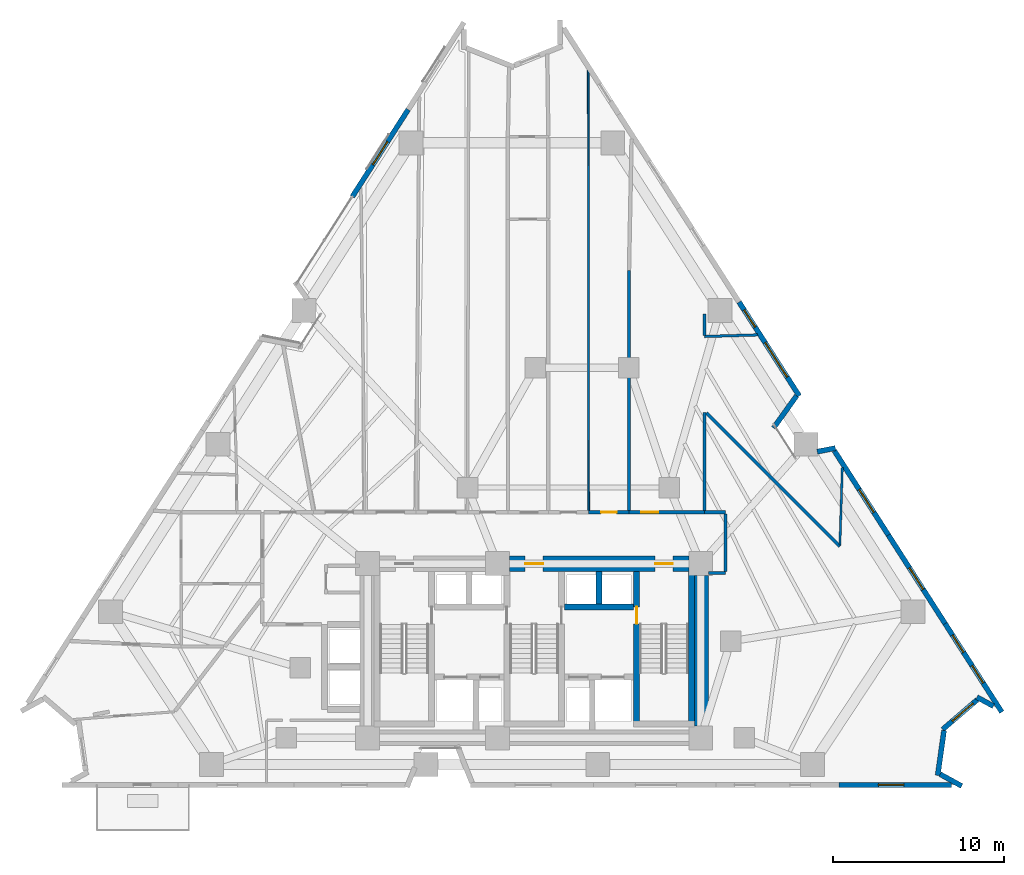
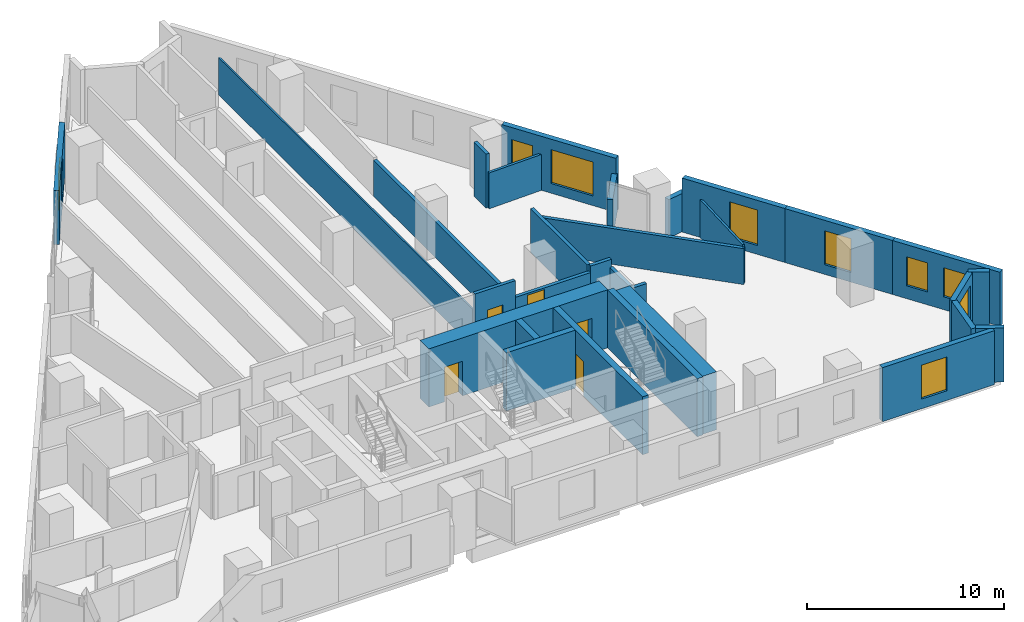
# One storey, part 10 of 15: 30 walls, 9 windows, 5 doors, 14 openings.
"""IFC4 building model written with IfcOpenShell, lengths in metres."""

from ifc_helpers import new_model, si_unit, direction, frame, frame_2d, origin, place, context, subcontext, project, spatial, rectangle, extrude, material, layer, layer_set, type_object, element, fill, save


model = new_model("IFC4")

# Units and contexts
model_context = context("Model", 3, precision=1e-05, world=origin(), true_north=direction((0.0, 1.0)))
body_context = subcontext(model_context, "Body", "Model", "MODEL_VIEW")
ifc_project = project(units=[si_unit("LENGTHUNIT", "METRE"), si_unit("AREAUNIT", "SQUARE_METRE"), si_unit("VOLUMEUNIT", "CUBIC_METRE"), si_unit("PLANEANGLEUNIT", "RADIAN"), si_unit("MASSUNIT", "GRAM", prefix="KILO")], contexts=[model_context])

# Site, building, storey
site_placement = place(None, origin())
site = spatial("IfcSite", under=ifc_project, at=site_placement, CompositionType="ELEMENT")
building_placement = place(site_placement, origin())
building = spatial("IfcBuilding", under=site, at=building_placement, Name="Almagre Mirador Tower", CompositionType="ELEMENT")
storey_placement = place(building_placement, frame((0.0, 0.0, 31.800048828125)))
storey = spatial("IfcBuildingStorey", under=building, at=storey_placement, Name="L06", CompositionType="ELEMENT", Elevation=31.800048828125)

# Wall, opening, window
ifc_material_1 = material(Name="Precast concrete C50/60", Category="concrete")
ifc_layer_1 = layer(ifc_material_1, 0.300048828125)
ifc_layer_set_1 = layer_set([ifc_layer_1], Name="Precast concrete C50/60")
wall_type_1 = type_object("IfcWallType", Name="WAL-EXT-300", PredefinedType="SOLIDWALL", material=ifc_layer_set_1)
wall_1_placement = place(storey_placement, frame((26.65673828125, 36.219970703125, 0.0), z_axis=(0.0, 0.0, 1.0), x_axis=(0.539506453767, 0.841981464371, 0.0)))
wall_1 = element("IfcWall", 1, at=wall_1_placement, inside=storey, type_object=wall_type_1, Name="L06 expressed almagre precast frame wall 03", PredefinedType="SOLIDWALL", context=body_context, shape_type="SweptSolid", body=[
    extrude(rectangle(XDim=6.058349609375, YDim=0.300048828125, at=frame_2d((3.029296875, 0.0))), origin(), (0.0, 0.0, 1.0), 3.349853515625),
])
opening_1_placement = place(wall_1_placement, frame((2.22509765625, 0.0, 0.550048828125)))
opening_1 = element("IfcOpeningElement", 2, at=opening_1_placement, cuts=wall_1, Name="Opening WN-06", PredefinedType="OPENING", context=body_context, shape_type="SweptSolid", body=[
    extrude(rectangle(XDim=1.60009765625, YDim=2.199951171875, at=frame_2d((0.800048828125, 1.10009765625))), frame((0.0, 0.159902, 0.0), z_axis=(0.0, -1.0, 0.0), x_axis=(1.0, 0.0, 0.0)), (0.0, 0.0, 1.0), 0.320049),
])
ifc_material_2 = material(Name="Dark solar-control laminated hurricane glass", Category="glass")
window_type_1 = type_object("IfcWindowType", Name="WIN-1600X2200", PartitioningType="DOUBLE_PANEL_VERTICAL", PredefinedType="WINDOW", material=ifc_material_2)
window_1_placement = place(opening_1_placement, origin())
window_1 = element("IfcWindow", 3, at=window_1_placement, inside=storey, type_object=window_type_1, Name="L06 recessed hurricane window L06-RST-K", OverallHeight=2.199951171875, OverallWidth=1.60009765625, PartitioningType="SINGLE_PANEL", PredefinedType="WINDOW", context=body_context, shape_type="SweptSolid", body=[
    extrude(rectangle(XDim=1.60009765625, YDim=2.199951171875, at=frame_2d((0.800048828125, 1.10009765625))), frame((0.0, 0.030029296875, 0.0), z_axis=(0.0, -1.0, 0.0), x_axis=(1.0, 0.0, 0.0)), (0.0, 0.0, 1.0), 0.06005859375),
])
fill(opening_1, window_1)

# Wall, openings, windows
wall_2_placement = place(storey_placement, frame((49.292724609375, 30.056640625, 0.0), z_axis=(0.0, 0.0, 1.0), x_axis=(0.539509050887, -0.84197980024, 0.0)))
wall_2 = element("IfcWall", 4, at=wall_2_placement, inside=storey, type_object=wall_type_1, Name="L06 expressed almagre precast frame wall 12", PredefinedType="SOLIDWALL", context=body_context, shape_type="SweptSolid", body=[
    extrude(rectangle(XDim=6.52587890625, YDim=0.300048828125, at=frame_2d((3.262939453125, 0.0))), origin(), (0.0, 0.0, 1.0), 3.349853515625),
])
opening_2_placement = place(wall_2_placement, frame((2.824951171875, 0.0, 0.60009765625)))
opening_2 = element("IfcOpeningElement", 5, at=opening_2_placement, cuts=wall_2, Name="Opening WN-02", PredefinedType="OPENING", context=body_context, shape_type="SweptSolid", body=[
    extrude(rectangle(XDim=2.39990234375, YDim=2.10009765625, at=frame_2d((1.199951171875, 1.050048828125))), frame((0.0, 0.159902, 0.0), z_axis=(0.0, -1.0, 0.0), x_axis=(1.0, 0.0, 0.0)), (0.0, 0.0, 1.0), 0.320049),
])
opening_3_placement = place(wall_2_placement, frame((0.550048828125, 0.0, 0.800048828125)))
opening_3 = element("IfcOpeningElement", 6, at=opening_3_placement, cuts=wall_2, Name="Opening WN-04", PredefinedType="OPENING", context=body_context, shape_type="SweptSolid", body=[
    extrude(rectangle(XDim=1.199951171875, YDim=1.800048828125, at=frame_2d((0.60009765625, 0.89990234375))), frame((0.0, 0.159902, 0.0), z_axis=(0.0, -1.0, 0.0), x_axis=(1.0, 0.0, 0.0)), (0.0, 0.0, 1.0), 0.320049),
])
ifc_material_3 = material(Name="Dark solar-control laminated hurricane glass", Category="glass")
window_type_2 = type_object("IfcWindowType", Name="WIN-1200X1800", PartitioningType="SINGLE_PANEL", PredefinedType="WINDOW", material=ifc_material_3)
window_2_placement = place(opening_3_placement, origin())
window_2 = element("IfcWindow", 7, at=window_2_placement, inside=storey, type_object=window_type_2, Name="L06 recessed hurricane window L06-UJ-BT", OverallHeight=1.800048828125, OverallWidth=1.199951171875, PartitioningType="SINGLE_PANEL", PredefinedType="WINDOW", context=body_context, shape_type="SweptSolid", body=[
    extrude(rectangle(XDim=1.199951171875, YDim=1.800048828125, at=frame_2d((0.60009765625, 0.89990234375))), frame((0.0, 0.030029296875, 0.0), z_axis=(0.0, -1.0, 0.0), x_axis=(1.0, 0.0, 0.0)), (0.0, 0.0, 1.0), 0.06005859375),
])
fill(opening_3, window_2)
ifc_material_4 = material(Name="Dark solar-control laminated hurricane glass", Category="glass")
window_type_3 = type_object("IfcWindowType", Name="WIN-2400X2100", PartitioningType="TRIPLE_PANEL_VERTICAL", PredefinedType="WINDOW", material=ifc_material_4)
window_3_placement = place(opening_2_placement, origin())
window_3 = element("IfcWindow", 8, at=window_3_placement, inside=storey, type_object=window_type_3, Name="L06 recessed hurricane window L06-UJ-ST", OverallHeight=2.10009765625, OverallWidth=2.39990234375, PartitioningType="SINGLE_PANEL", PredefinedType="WINDOW", context=body_context, shape_type="SweptSolid", body=[
    extrude(rectangle(XDim=2.39990234375, YDim=2.10009765625, at=frame_2d((1.199951171875, 1.050048828125))), frame((0.0, 0.030029296875, 0.0), z_axis=(0.0, -1.0, 0.0), x_axis=(1.0, 0.0, 0.0)), (0.0, 0.0, 1.0), 0.06005859375),
])
fill(opening_2, window_3)

# Walls
wall_3_placement = place(storey_placement, frame((52.656494140625, 24.566162109375, 0.0), z_axis=(0.0, 0.0, 1.0), x_axis=(-0.583053244013, -0.812433944789, 0.0)))
element("IfcWall", 9, at=wall_3_placement, inside=storey, type_object=wall_type_1, Name="L06 expressed almagre precast frame wall 13", PredefinedType="SOLIDWALL", context=body_context, shape_type="SweptSolid", body=[
    extrude(rectangle(XDim=2.31396484375, YDim=0.300048828125, at=frame_2d((1.156982421875, 0.0))), origin(), (0.0, 0.0, 1.0), 2.375),
])
wall_4_placement = place(storey_placement, frame((53.864013671875, 21.302001953125, 0.0), z_axis=(0.0, 0.0, 1.0), x_axis=(0.981752657473, 0.190162350493, 0.0)))
element("IfcWall", 10, at=wall_4_placement, inside=storey, type_object=wall_type_1, Name="L06 expressed almagre precast frame wall 14", PredefinedType="SOLIDWALL", context=body_context, shape_type="SweptSolid", body=[
    extrude(rectangle(XDim=1.0810546875, YDim=0.300048828125, at=frame_2d((0.54052734375, 0.0))), origin(), (0.0, 0.0, 1.0), 2.375),
])

# Wall, opening, window
wall_5_placement = place(storey_placement, frame((54.863525390625, 21.363037109375, 0.0), z_axis=(0.0, 0.0, 1.0), x_axis=(0.539525561028, -0.841969220932, 0.0)))
wall_5 = element("IfcWall", 11, at=wall_5_placement, inside=storey, type_object=wall_type_1, Name="L06 expressed almagre precast frame wall 15", PredefinedType="SOLIDWALL", context=body_context, shape_type="SweptSolid", body=[
    extrude(rectangle(XDim=5.871826171875, YDim=0.300048828125, at=frame_2d((2.93603515625, 0.0))), origin(), (0.0, 0.0, 1.0), 3.349853515625),
])
opening_4_placement = place(wall_5_placement, frame((2.695068359375, 0.0, 0.550048828125)))
opening_4 = element("IfcOpeningElement", 12, at=opening_4_placement, cuts=wall_5, Name="Opening WN-06", PredefinedType="OPENING", context=body_context, shape_type="SweptSolid", body=[
    extrude(rectangle(XDim=1.60009765625, YDim=2.199951171875, at=frame_2d((0.800048828125, 1.10009765625))), frame((0.0, 0.159902, 0.0), z_axis=(0.0, -1.0, 0.0), x_axis=(1.0, 0.0, 0.0)), (0.0, 0.0, 1.0), 0.320049),
])
window_4_placement = place(opening_4_placement, origin())
window_4 = element("IfcWindow", 13, at=window_4_placement, inside=storey, type_object=window_type_1, Name="L06 recessed hurricane window L06-UJ-KT", OverallHeight=2.199951171875, OverallWidth=1.60009765625, PartitioningType="SINGLE_PANEL", PredefinedType="WINDOW", context=body_context, shape_type="SweptSolid", body=[
    extrude(rectangle(XDim=1.60009765625, YDim=2.199951171875, at=frame_2d((0.800048828125, 1.10009765625))), frame((0.0, 0.030029296875, 0.0), z_axis=(0.0, -1.0, 0.0), x_axis=(1.0, 0.0, 0.0)), (0.0, 0.0, 1.0), 0.06005859375),
])
fill(opening_4, window_4)

wall_6_placement = place(storey_placement, frame((58.031494140625, 16.419189453125, 0.0), z_axis=(0.0, 0.0, 1.0), x_axis=(0.539543497538, -0.841957727125, 0.0)))
wall_6 = element("IfcWall", 14, at=wall_6_placement, inside=storey, type_object=wall_type_1, Name="L06 expressed almagre precast frame wall 16", PredefinedType="SOLIDWALL", context=body_context, shape_type="SweptSolid", body=[
    extrude(rectangle(XDim=6.151611328125, YDim=0.300048828125, at=frame_2d((3.07568359375, 0.0))), origin(), (0.0, 0.0, 1.0), 3.349853515625),
])
opening_5_placement = place(wall_6_placement, frame((2.27490234375, 0.0, 0.60009765625)))
opening_5 = element("IfcOpeningElement", 15, at=opening_5_placement, cuts=wall_6, Name="Opening WN-03", PredefinedType="OPENING", context=body_context, shape_type="SweptSolid", body=[
    extrude(rectangle(XDim=1.5, YDim=2.10009765625, at=frame_2d((0.75, 1.050048828125))), frame((0.0, 0.159902, 0.0), z_axis=(0.0, -1.0, 0.0), x_axis=(1.0, 0.0, 0.0)), (0.0, 0.0, 1.0), 0.320049),
])
ifc_material_5 = material(Name="Dark solar-control laminated hurricane glass", Category="glass")
window_type_4 = type_object("IfcWindowType", Name="WIN-1500X2100", PartitioningType="DOUBLE_PANEL_VERTICAL", PredefinedType="WINDOW", material=ifc_material_5)
window_5_placement = place(opening_5_placement, origin())
window_5 = element("IfcWindow", 16, at=window_5_placement, inside=storey, type_object=window_type_4, Name="L06 recessed hurricane window L06-UJ-KT", OverallHeight=2.10009765625, OverallWidth=1.5, PartitioningType="SINGLE_PANEL", PredefinedType="WINDOW", context=body_context, shape_type="SweptSolid", body=[
    extrude(rectangle(XDim=1.5, YDim=2.10009765625, at=frame_2d((0.75, 1.050048828125))), frame((0.0, 0.030029296875, 0.0), z_axis=(0.0, -1.0, 0.0), x_axis=(1.0, 0.0, 0.0)), (0.0, 0.0, 1.0), 0.06005859375),
])
fill(opening_5, window_5)

# Wall, openings, windows
wall_7_placement = place(storey_placement, frame((61.3505859375, 11.23974609375, 0.0), z_axis=(0.0, 0.0, 1.0), x_axis=(0.539497334835, -0.841987307331, 0.0)))
wall_7 = element("IfcWall", 17, at=wall_7_placement, inside=storey, type_object=wall_type_1, Name="L06 expressed almagre precast frame wall 17", PredefinedType="SOLIDWALL", context=body_context, shape_type="SweptSolid", body=[
    extrude(rectangle(XDim=6.15185546875, YDim=0.300048828125, at=frame_2d((3.075927734375, 0.0))), origin(), (0.0, 0.0, 1.0), 3.349853515625),
])
opening_6_placement = place(wall_7_placement, frame((2.925048828125, 0.0, 0.800048828125)))
opening_6 = element("IfcOpeningElement", 18, at=opening_6_placement, cuts=wall_7, Name="Opening WN-04", PredefinedType="OPENING", context=body_context, shape_type="SweptSolid", body=[
    extrude(rectangle(XDim=1.199951171875, YDim=1.800048828125, at=frame_2d((0.60009765625, 0.89990234375))), frame((0.0, 0.159902, 0.0), z_axis=(0.0, -1.0, 0.0), x_axis=(1.0, 0.0, 0.0)), (0.0, 0.0, 1.0), 0.320049),
])
opening_7_placement = place(wall_7_placement, frame((0.800048828125, 0.0, 0.800048828125)))
opening_7 = element("IfcOpeningElement", 19, at=opening_7_placement, cuts=wall_7, Name="Opening WN-04", PredefinedType="OPENING", context=body_context, shape_type="SweptSolid", body=[
    extrude(rectangle(XDim=1.199951171875, YDim=1.800048828125, at=frame_2d((0.60009765625, 0.89990234375))), frame((0.0, 0.159902, 0.0), z_axis=(0.0, -1.0, 0.0), x_axis=(1.0, 0.0, 0.0)), (0.0, 0.0, 1.0), 0.320049),
])
window_6_placement = place(opening_6_placement, origin())
window_6 = element("IfcWindow", 20, at=window_6_placement, inside=storey, type_object=window_type_2, Name="L06 recessed hurricane window L06-RST-F", OverallHeight=1.800048828125, OverallWidth=1.199951171875, PartitioningType="SINGLE_PANEL", PredefinedType="WINDOW", context=body_context, shape_type="SweptSolid", body=[
    extrude(rectangle(XDim=1.199951171875, YDim=1.800048828125, at=frame_2d((0.60009765625, 0.89990234375))), frame((0.0, 0.030029296875, 0.0), z_axis=(0.0, -1.0, 0.0), x_axis=(1.0, 0.0, 0.0)), (0.0, 0.0, 1.0), 0.06005859375),
])
fill(opening_6, window_6)
window_7_placement = place(opening_7_placement, origin())
window_7 = element("IfcWindow", 21, at=window_7_placement, inside=storey, type_object=window_type_2, Name="L06 recessed hurricane window L06-UJ-KT", OverallHeight=1.800048828125, OverallWidth=1.199951171875, PartitioningType="SINGLE_PANEL", PredefinedType="WINDOW", context=body_context, shape_type="SweptSolid", body=[
    extrude(rectangle(XDim=1.199951171875, YDim=1.800048828125, at=frame_2d((0.60009765625, 0.89990234375))), frame((0.0, 0.030029296875, 0.0), z_axis=(0.0, -1.0, 0.0), x_axis=(1.0, 0.0, 0.0)), (0.0, 0.0, 1.0), 0.06005859375),
])
fill(opening_7, window_7)

# Wall
wall_8_placement = place(storey_placement, frame((64.17724609375, 6.406005859375, 0.0), z_axis=(0.0, 0.0, 1.0), x_axis=(-0.877235899632, 0.480059555052, 0.0)))
element("IfcWall", 22, at=wall_8_placement, inside=storey, type_object=wall_type_1, Name="L06 expressed almagre precast frame wall 18", PredefinedType="SOLIDWALL", context=body_context, shape_type="SweptSolid", body=[
    extrude(rectangle(XDim=1.1044921875, YDim=0.300048828125, at=frame_2d((0.55224609375, 0.0))), origin(), (0.0, 0.0, 1.0), 3.349853515625),
])

# Wall, opening, window
wall_9_placement = place(storey_placement, frame((63.224853515625, 6.77783203125, 0.0), z_axis=(0.0, 0.0, 1.0), x_axis=(-0.758681082232, -0.651462213381, 0.0)))
wall_9 = element("IfcWall", 23, at=wall_9_placement, inside=storey, type_object=wall_type_1, Name="L06 expressed almagre precast frame wall 19", PredefinedType="SOLIDWALL", context=body_context, shape_type="SweptSolid", body=[
    extrude(rectangle(XDim=2.66650390625, YDim=0.300048828125, at=frame_2d((1.333251953125, 0.0))), origin(), (0.0, 0.0, 1.0), 3.349853515625),
])
opening_8_placement = place(wall_9_placement, frame((0.320068359375, 0.0, 0.550048828125)))
opening_8 = element("IfcOpeningElement", 24, at=opening_8_placement, cuts=wall_9, Name="Opening WN-06", PredefinedType="OPENING", context=body_context, shape_type="SweptSolid", body=[
    extrude(rectangle(XDim=1.60009765625, YDim=2.199951171875, at=frame_2d((0.800048828125, 1.10009765625))), frame((0.0, 0.159902, 0.0), z_axis=(0.0, -1.0, 0.0), x_axis=(1.0, 0.0, 0.0)), (0.0, 0.0, 1.0), 0.320049),
])
window_8_placement = place(opening_8_placement, origin())
window_8 = element("IfcWindow", 25, at=window_8_placement, inside=storey, type_object=window_type_1, Name="L06 recessed hurricane window L06-RST-F", OverallHeight=2.199951171875, OverallWidth=1.60009765625, PartitioningType="SINGLE_PANEL", PredefinedType="WINDOW", context=body_context, shape_type="SweptSolid", body=[
    extrude(rectangle(XDim=1.60009765625, YDim=2.199951171875, at=frame_2d((0.800048828125, 1.10009765625))), frame((0.0, 0.030029296875, 0.0), z_axis=(0.0, -1.0, 0.0), x_axis=(1.0, 0.0, 0.0)), (0.0, 0.0, 1.0), 0.06005859375),
])
fill(opening_8, window_8)

# Walls
wall_10_placement = place(storey_placement, frame((61.287109375, 4.9833984375, 0.0), z_axis=(0.0, 0.0, 1.0), x_axis=(-0.139118263158, -0.990275774144, 0.0)))
element("IfcWall", 26, at=wall_10_placement, inside=storey, type_object=wall_type_1, Name="L06 expressed almagre precast frame wall 20", PredefinedType="SOLIDWALL", context=body_context, shape_type="SweptSolid", body=[
    extrude(rectangle(XDim=2.656982421875, YDim=0.300048828125, at=frame_2d((1.32861328125, 0.0))), origin(), (0.0, 0.0, 1.0), 3.349853515625),
])
wall_11_placement = place(storey_placement, frame((61.055419921875, 2.42626953125, 0.0), z_axis=(0.0, 0.0, 1.0), x_axis=(0.877287752989, -0.479964788767, 0.0)))
element("IfcWall", 27, at=wall_11_placement, inside=storey, type_object=wall_type_1, Name="L06 expressed almagre precast frame wall 21", PredefinedType="SOLIDWALL", context=body_context, shape_type="SweptSolid", body=[
    extrude(rectangle(XDim=1.444580078125, YDim=0.300048828125, at=frame_2d((0.72216796875, 0.0))), origin(), (0.0, 0.0, 1.0), 3.349853515625),
])

# Wall, opening, window
wall_12_placement = place(storey_placement, frame((61.72998046875, 1.800048828125, 0.0), z_axis=(0.0, 0.0, 1.0), x_axis=(-1.0, 0.0, 0.0)))
wall_12 = element("IfcWall", 28, at=wall_12_placement, inside=storey, type_object=wall_type_1, Name="L06 expressed almagre precast frame wall 22", PredefinedType="SOLIDWALL", context=body_context, shape_type="SweptSolid", body=[
    extrude(rectangle(XDim=6.5830078125, YDim=0.300048828125, at=frame_2d((3.29150390625, 0.0))), origin(), (0.0, 0.0, 1.0), 3.349853515625),
])
opening_9_placement = place(wall_12_placement, frame((2.7900390625, 0.0, 0.60009765625)))
opening_9 = element("IfcOpeningElement", 29, at=opening_9_placement, cuts=wall_12, Name="Opening WN-03", PredefinedType="OPENING", context=body_context, shape_type="SweptSolid", body=[
    extrude(rectangle(XDim=1.5, YDim=2.10009765625, at=frame_2d((0.75, 1.050048828125))), frame((0.0, 0.159902, 0.0), z_axis=(0.0, -1.0, 0.0), x_axis=(1.0, 0.0, 0.0)), (0.0, 0.0, 1.0), 0.320049),
])
window_9_placement = place(opening_9_placement, origin())
window_9 = element("IfcWindow", 30, at=window_9_placement, inside=storey, type_object=window_type_4, Name="L06 recessed hurricane window L06-RST-D", OverallHeight=2.10009765625, OverallWidth=1.5, PartitioningType="SINGLE_PANEL", PredefinedType="WINDOW", context=body_context, shape_type="SweptSolid", body=[
    extrude(rectangle(XDim=1.5, YDim=2.10009765625, at=frame_2d((0.75, 1.050048828125))), frame((0.0, 0.030029296875, 0.0), z_axis=(0.0, -1.0, 0.0), x_axis=(1.0, 0.0, 0.0)), (0.0, 0.0, 1.0), 0.06005859375),
])
fill(opening_9, window_9)

# Walls
ifc_material_6 = material(Name="Gypsum acoustic stud partition", Category="other")
ifc_layer_2 = layer(ifc_material_6, 0.10009765625)
ifc_layer_set_2 = layer_set([ifc_layer_2], Name="Gypsum acoustic stud partition")
wall_type_2 = type_object("IfcWallType", Name="WAL-PRT-100-CLS", PredefinedType="PARTITIONING", material=ifc_layer_set_2)
wall_13_placement = place(storey_placement, frame((40.48974609375, 17.8349609375, 0.0), z_axis=(0.0, 0.0, 1.0), x_axis=(-0.000767321348, 0.999999705609, 0.0)))
element("IfcWall", 31, at=wall_13_placement, inside=storey, type_object=wall_type_2, Name="L06 interior partition 062", PredefinedType="PARTITIONING", context=body_context, shape_type="SweptSolid", body=[
    extrude(rectangle(XDim=25.77197265625, YDim=0.10009765625, at=frame_2d((12.885986328125, 0.0))), origin(), (0.0, 0.0, 1.0), 2.308837890625),
])
ifc_material_7 = material(Name="Gypsum acoustic stud partition", Category="other")
ifc_layer_3 = layer(ifc_material_7, 0.125)
ifc_layer_set_3 = layer_set([ifc_layer_3], Name="Gypsum acoustic stud partition")
wall_type_3 = type_object("IfcWallType", Name="WAL-PRT-125-UTL", PredefinedType="PARTITIONING", material=ifc_layer_set_3)
wall_14_placement = place(storey_placement, frame((55.192138671875, 15.844970703125, 0.0), z_axis=(0.0, 0.0, 1.0), x_axis=(0.031449581736, 0.99950533956, 0.0)))
element("IfcWall", 32, at=wall_14_placement, inside=storey, type_object=wall_type_3, Name="L06 interior partition 047", PredefinedType="PARTITIONING", context=body_context, shape_type="SweptSolid", body=[
    extrude(rectangle(XDim=4.541259765625, YDim=0.125, at=frame_2d((2.2705078125, 0.0))), origin(), (0.0, 0.0, 1.0), 2.369873046875),
])
ifc_material_8 = material(Name="Gypsum acoustic stud partition", Category="other")
ifc_layer_4 = layer(ifc_material_8, 0.14990234375)
ifc_layer_set_4 = layer_set([ifc_layer_4], Name="Gypsum acoustic stud partition")
wall_type_4 = type_object("IfcWallType", Name="WAL-PRT-150-STD", PredefinedType="PARTITIONING", material=ifc_layer_set_4)
wall_15_placement = place(storey_placement, frame((50.385009765625, 28.134033203125, 0.0), z_axis=(0.0, 0.0, 1.0), x_axis=(-0.999545052024, -0.030161050633, 0.0)))
element("IfcWall", 33, at=wall_15_placement, inside=storey, type_object=wall_type_4, Name="L06 interior partition 048", PredefinedType="PARTITIONING", context=body_context, shape_type="SweptSolid", body=[
    extrude(rectangle(XDim=3.116455078125, YDim=0.14990234375, at=frame_2d((1.55810546875, 0.0))), origin(), (0.0, 0.0, 1.0), 2.22802734375),
])
ifc_material_9 = material(Name="Gypsum acoustic stud partition", Category="other")
ifc_layer_5 = layer(ifc_material_9, 0.199951171875)
ifc_layer_set_5 = layer_set([ifc_layer_5], Name="Gypsum acoustic stud partition")
wall_type_5 = type_object("IfcWallType", Name="WAL-PRT-200-EI60", PredefinedType="PARTITIONING", material=ifc_layer_set_5)
wall_16_placement = place(storey_placement, frame((47.5, 14.199951171875, 0.0), z_axis=(0.0, 0.0, 1.0), x_axis=(1.0, 0.0, 0.0)))
element("IfcWall", 34, at=wall_16_placement, inside=storey, type_object=wall_type_5, Name="L06 interior partition 004", PredefinedType="PARTITIONING", context=body_context, shape_type="SweptSolid", body=[
    extrude(rectangle(XDim=1.0, YDim=0.199951171875, at=frame_2d((0.5, 0.0))), origin(), (0.0, 0.0, 1.0), 3.349853515625),
])
wall_17_placement = place(storey_placement, frame((48.5, 17.75, 0.0), z_axis=(0.0, 0.0, 1.0), x_axis=(-1.0, 0.0, 0.0)))
element("IfcWall", 35, at=wall_17_placement, inside=storey, type_object=wall_type_5, Name="L06 interior partition 010", PredefinedType="PARTITIONING", context=body_context, shape_type="SweptSolid", body=[
    extrude(rectangle(XDim=1.22998046875, YDim=0.199951171875, at=frame_2d((0.614990234375, 0.0))), origin(), (0.0, 0.0, 1.0), 2.708984375),
])

# Wall, opening, door
wall_18_placement = place(storey_placement, frame((42.85009765625, 17.75, 0.0), z_axis=(0.0, 0.0, 1.0), x_axis=(-1.0, 0.0, 0.0)))
wall_18 = element("IfcWall", 36, at=wall_18_placement, inside=storey, type_object=wall_type_5, Name="L06 interior partition 018", PredefinedType="PARTITIONING", context=body_context, shape_type="SweptSolid", body=[
    extrude(rectangle(XDim=2.360107421875, YDim=0.199951171875, at=frame_2d((1.18017578125, 0.0))), origin(), (0.0, 0.0, 1.0), 3.349853515625),
])
opening_10_placement = place(wall_18_placement, frame((0.72998046875, 0.0, 0.0)))
opening_10 = element("IfcOpeningElement", 37, at=opening_10_placement, cuts=wall_18, Name="Opening ID-03", PredefinedType="OPENING", context=body_context, shape_type="SweptSolid", body=[
    extrude(rectangle(XDim=0.89990234375, YDim=2.10009765625, at=frame_2d((0.449951171875, 1.050048828125))), frame((0.0, 0.110098, 0.0), z_axis=(0.0, -1.0, 0.0), x_axis=(1.0, 0.0, 0.0)), (0.0, 0.0, 1.0), 0.219951),
])
ifc_material_10 = material(Name="Fire-rated hollow steel", Category="steel")
door_type_1 = type_object("IfcDoorType", Name="DOR-FD60-900X2100", OperationType="NOTDEFINED", PredefinedType="DOOR", material=ifc_material_10)
door_1_placement = place(opening_10_placement, origin())
door_1 = element("IfcDoor", 38, at=door_1_placement, inside=storey, type_object=door_type_1, Name="DR-0180 L06 interior door L06-RCOR to L06-RST-A", OperationType="SINGLE_SWING_RIGHT", OverallHeight=2.10009765625, OverallWidth=0.89990234375, PredefinedType="DOOR", context=body_context, shape_type="SweptSolid", body=[
    extrude(rectangle(XDim=0.89990234375, YDim=2.10009765625, at=frame_2d((0.449951171875, 1.050048828125))), frame((0.0, 0.02490234375, 0.0), z_axis=(0.0, -1.0, 0.0), x_axis=(1.0, 0.0, 0.0)), (0.0, 0.0, 1.0), 0.050048828125),
])
fill(opening_10, door_1)

wall_19_placement = place(storey_placement, frame((47.27001953125, 17.75, 0.0), z_axis=(0.0, 0.0, 1.0), x_axis=(-1.0, 0.0, 0.0)))
wall_19 = element("IfcWall", 39, at=wall_19_placement, inside=storey, type_object=wall_type_5, Name="L06 interior partition 019", PredefinedType="PARTITIONING", context=body_context, shape_type="SweptSolid", body=[
    extrude(rectangle(XDim=4.419921875, YDim=0.199951171875, at=frame_2d((2.2099609375, 0.0))), origin(), (0.0, 0.0, 1.0), 2.308837890625),
])
opening_11_placement = place(wall_19_placement, frame((2.698486328125, 0.0, 0.0)))
opening_11 = element("IfcOpeningElement", 40, at=opening_11_placement, cuts=wall_19, Name="Opening ID-01", PredefinedType="OPENING", context=body_context, shape_type="SweptSolid", body=[
    extrude(rectangle(XDim=1.0, YDim=2.199951171875, at=frame_2d((0.5, 1.10009765625))), frame((0.0, 0.110098, 0.0), z_axis=(0.0, -1.0, 0.0), x_axis=(1.0, 0.0, 0.0)), (0.0, 0.0, 1.0), 0.219951),
])
ifc_material_11 = material(Name="Fire-rated walnut timber", Category="wood")
door_type_2 = type_object("IfcDoorType", Name="DOR-FD60-1000X2200", OperationType="NOTDEFINED", PredefinedType="DOOR", material=ifc_material_11)
door_2_placement = place(opening_11_placement, origin())
door_2 = element("IfcDoor", 41, at=door_2_placement, inside=storey, type_object=door_type_2, Name="DR-0187 L06 interior door L06-RCOR to L06-UB-ST-2", OperationType="SINGLE_SWING_RIGHT", OverallHeight=2.199951171875, OverallWidth=1.0, PredefinedType="DOOR", context=body_context, shape_type="SweptSolid", body=[
    extrude(rectangle(XDim=1.0, YDim=2.199951171875, at=frame_2d((0.5, 1.10009765625))), frame((0.0, 0.02490234375, 0.0), z_axis=(0.0, -1.0, 0.0), x_axis=(1.0, 0.0, 0.0)), (0.0, 0.0, 1.0), 0.050048828125),
])
fill(opening_11, door_2)

# Walls
wall_20_placement = place(storey_placement, frame((55.18994140625, 15.760009765625, 0.0), z_axis=(0.0, 0.0, 1.0), x_axis=(-0.707106781187, 0.707106781187, 0.0)))
element("IfcWall", 42, at=wall_20_placement, inside=storey, type_object=wall_type_5, Name="L06 interior partition 039", PredefinedType="PARTITIONING", context=body_context, shape_type="SweptSolid", body=[
    extrude(rectangle(XDim=11.04052734375, YDim=0.199951171875, at=frame_2d((5.520263671875, 0.0))), origin(), (0.0, 0.0, 1.0), 2.22802734375),
])
wall_21_placement = place(storey_placement, frame((47.27001953125, 23.594970703125, 0.0), z_axis=(0.0, 0.0, 1.0), x_axis=(0.0, -1.0, 0.0)))
element("IfcWall", 43, at=wall_21_placement, inside=storey, type_object=wall_type_5, Name="L06 interior partition 041", PredefinedType="PARTITIONING", context=body_context, shape_type="SweptSolid", body=[
    extrude(rectangle(XDim=5.760009765625, YDim=0.199951171875, at=frame_2d((2.8798828125, 0.0))), origin(), (0.0, 0.0, 1.0), 2.708984375),
])
wall_22_placement = place(storey_placement, frame((47.27001953125, 29.35009765625, 0.0), z_axis=(0.0, 0.0, 1.0), x_axis=(0.0, -1.0, 0.0)))
element("IfcWall", 44, at=wall_22_placement, inside=storey, type_object=wall_type_5, Name="L06 interior partition 050", PredefinedType="PARTITIONING", context=body_context, shape_type="SweptSolid", body=[
    extrude(rectangle(XDim=1.25, YDim=0.199951171875, at=frame_2d((0.625, 0.0))), origin(), (0.0, 0.0, 1.0), 3.349853515625),
])
wall_23_placement = place(storey_placement, frame((42.85009765625, 17.8349609375, 0.0), z_axis=(0.0, 0.0, 1.0), x_axis=(0.0, 1.0, 0.0)))
element("IfcWall", 45, at=wall_23_placement, inside=storey, type_object=wall_type_5, Name="L06 interior partition 063", PredefinedType="PARTITIONING", context=body_context, shape_type="SweptSolid", body=[
    extrude(rectangle(XDim=14.054931640625, YDim=0.199951171875, at=frame_2d((7.02734375, 0.0))), origin(), (0.0, 0.0, 1.0), 2.22802734375),
])
wall_24_placement = place(storey_placement, frame((48.5, 14.284912109375, 0.0), z_axis=(0.0, 0.0, 1.0), x_axis=(0.0, 1.0, 0.0)))
element("IfcWall", 46, at=wall_24_placement, inside=storey, type_object=wall_type_5, Name="L06 interior partition 068", PredefinedType="PARTITIONING", context=body_context, shape_type="SweptSolid", body=[
    extrude(rectangle(XDim=3.380126953125, YDim=0.199951171875, at=frame_2d((1.68994140625, 0.0))), origin(), (0.0, 0.0, 1.0), 2.22802734375),
])

# Wall, opening, door
ifc_material_12 = material(Name="Concrete C60/75", Category="concrete")
ifc_layer_6 = layer(ifc_material_12, 0.35009765625)
ifc_layer_set_6 = layer_set([ifc_layer_6], Name="Concrete C60/75")
wall_type_6 = type_object("IfcWallType", Name="WAL-SHF-350", PredefinedType="SOLIDWALL", material=ifc_layer_set_6)
wall_25_placement = place(storey_placement, frame((43.300048828125, 5.199951171875, 0.0), z_axis=(0.0, 0.0, 1.0), x_axis=(0.0, 1.0, 0.0)))
wall_25 = element("IfcWall", 47, at=wall_25_placement, inside=storey, type_object=wall_type_6, Name="L06 shaft wall ST3-W", PredefinedType="SOLIDWALL", context=body_context, shape_type="SweptSolid", body=[
    extrude(rectangle(XDim=9.10009765625, YDim=0.35009765625, at=frame_2d((4.550048828125, 0.0))), origin(), (0.0, 0.0, 1.0), 3.599853515625),
])
opening_12_placement = place(wall_25_placement, frame((6.02001953125, 0.0, 0.0)))
opening_12 = element("IfcOpeningElement", 48, at=opening_12_placement, cuts=wall_25, Name="Opening FD-01", PredefinedType="OPENING", context=body_context, shape_type="SweptSolid", body=[
    extrude(rectangle(XDim=1.0, YDim=2.14990234375, at=frame_2d((0.5, 1.074951171875))), frame((0.0, 0.185049, 0.0), z_axis=(0.0, -1.0, 0.0), x_axis=(1.0, 0.0, 0.0)), (0.0, 0.0, 1.0), 0.370098),
])
ifc_material_13 = material(Name="Fire-rated hollow steel", Category="steel")
door_type_3 = type_object("IfcDoorType", Name="DOR-FFL-1000X2150", OperationType="NOTDEFINED", PredefinedType="DOOR", material=ifc_material_13)
door_3_placement = place(opening_12_placement, origin())
door_3 = element("IfcDoor", 49, at=door_3_placement, inside=storey, type_object=door_type_3, Name="DR-0179 L06 FFL2-ST3 smokeproof door", OperationType="SINGLE_SWING_RIGHT", OverallHeight=2.14990234375, OverallWidth=1.0, PredefinedType="DOOR", context=body_context, shape_type="SweptSolid", body=[
    extrude(rectangle(XDim=1.0, YDim=2.14990234375, at=frame_2d((0.5, 1.074951171875))), frame((0.0, 0.02490234375, 0.0), z_axis=(0.0, -1.0, 0.0), x_axis=(1.0, 0.0, 0.0)), (0.0, 0.0, 1.0), 0.050048828125),
])
fill(opening_12, door_3)

# Walls
wall_26_placement = place(storey_placement, frame((46.5, 5.199951171875, 0.0), z_axis=(0.0, 0.0, 1.0), x_axis=(0.0, 1.0, 0.0)))
element("IfcWall", 50, at=wall_26_placement, inside=storey, type_object=wall_type_6, Name="L06 shaft wall ST3-E", PredefinedType="SOLIDWALL", context=body_context, shape_type="SweptSolid", body=[
    extrude(rectangle(XDim=9.10009765625, YDim=0.35009765625, at=frame_2d((4.550048828125, 0.0))), origin(), (0.0, 0.0, 1.0), 3.599853515625),
])
wall_27_placement = place(storey_placement, frame((39.074951171875, 12.199951171875, 0.0), z_axis=(0.0, 0.0, 1.0), x_axis=(1.0, 0.0, 0.0)))
element("IfcWall", 51, at=wall_27_placement, inside=storey, type_object=wall_type_6, Name="L06 shaft wall PLH-S", PredefinedType="SOLIDWALL", context=body_context, shape_type="SweptSolid", body=[
    extrude(rectangle(XDim=4.050048828125, YDim=0.35009765625, at=frame_2d((2.02490234375, 0.0))), origin(), (0.0, 0.0, 1.0), 3.599853515625),
])
wall_28_placement = place(storey_placement, frame((41.10009765625, 12.375, 0.0), z_axis=(0.0, 0.0, 1.0), x_axis=(0.0, 1.0, 0.0)))
element("IfcWall", 52, at=wall_28_placement, inside=storey, type_object=wall_type_6, Name="L06 shaft wall PLH-M", PredefinedType="SOLIDWALL", context=body_context, shape_type="SweptSolid", body=[
    extrude(rectangle(XDim=1.925048828125, YDim=0.35009765625, at=frame_2d((0.96240234375, 0.0))), origin(), (0.0, 0.0, 1.0), 3.599853515625),
])

# Wall, openings, doors
ifc_material_14 = material(Name="Concrete C70/85", Category="concrete")
ifc_layer_7 = layer(ifc_material_14, 0.89990234375)
ifc_layer_set_7 = layer_set([ifc_layer_7], Name="Concrete C70/85")
wall_type_7 = type_object("IfcWallType", Name="WAL-SHR-900", PredefinedType="SHEAR", material=ifc_layer_set_7)
wall_29_placement = place(storey_placement, frame((35.85009765625, 14.75, 0.0), z_axis=(0.0, 0.0, 1.0), x_axis=(1.0, 0.0, 0.0)))
wall_29 = element("IfcWall", 53, at=wall_29_placement, inside=storey, type_object=wall_type_7, Name="L06 core shear wall N2", PredefinedType="SHEAR", context=body_context, shape_type="SweptSolid", body=[
    extrude(rectangle(XDim=10.5, YDim=0.89990234375, at=frame_2d((5.25, 0.0))), origin(), (0.0, 0.0, 1.0), 3.599853515625),
])
opening_13_placement = place(wall_29_placement, frame((0.925048828125, 0.0, 0.0)))
opening_13 = element("IfcOpeningElement", 54, at=opening_13_placement, cuts=wall_29, Name="Opening SD-01", PredefinedType="OPENING", context=body_context, shape_type="SweptSolid", body=[
    extrude(rectangle(XDim=1.050048828125, YDim=2.14990234375, at=frame_2d((0.52490234375, 1.074951171875))), frame((0.0, 0.459951, 0.0), z_axis=(0.0, -1.0, 0.0), x_axis=(1.0, 0.0, 0.0)), (0.0, 0.0, 1.0), 0.919902),
])
opening_14_placement = place(wall_29_placement, frame((8.52490234375, 0.0, 0.0)))
opening_14 = element("IfcOpeningElement", 55, at=opening_14_placement, cuts=wall_29, Name="Opening SD-01", PredefinedType="OPENING", context=body_context, shape_type="SweptSolid", body=[
    extrude(rectangle(XDim=1.050048828125, YDim=2.14990234375, at=frame_2d((0.52490234375, 1.074951171875))), frame((0.0, 0.459951, 0.0), z_axis=(0.0, -1.0, 0.0), x_axis=(1.0, 0.0, 0.0)), (0.0, 0.0, 1.0), 0.919902),
])
ifc_material_15 = material(Name="Fire-rated hollow steel", Category="steel")
door_type_4 = type_object("IfcDoorType", Name="DOR-ST-1050X2150", OperationType="NOTDEFINED", PredefinedType="DOOR", material=ifc_material_15)
door_4_placement = place(opening_13_placement, origin())
door_4 = element("IfcDoor", 56, at=door_4_placement, inside=storey, type_object=door_type_4, Name="DR-0204 L06 protected exit stair ST-2 door", OperationType="SINGLE_SWING_RIGHT", OverallHeight=2.14990234375, OverallWidth=1.050048828125, PredefinedType="DOOR", context=body_context, shape_type="SweptSolid", body=[
    extrude(rectangle(XDim=1.050048828125, YDim=2.14990234375, at=frame_2d((0.52490234375, 1.074951171875))), frame((0.0, 0.02490234375, 0.0), z_axis=(0.0, -1.0, 0.0), x_axis=(1.0, 0.0, 0.0)), (0.0, 0.0, 1.0), 0.050048828125),
])
fill(opening_13, door_4)
door_5_placement = place(opening_14_placement, origin())
door_5 = element("IfcDoor", 57, at=door_5_placement, inside=storey, type_object=door_type_4, Name="DR-0205 L06 protected exit stair ST-3 door", OperationType="SINGLE_SWING_LEFT", OverallHeight=2.14990234375, OverallWidth=1.050048828125, PredefinedType="DOOR", context=body_context, shape_type="SweptSolid", body=[
    extrude(rectangle(XDim=1.050048828125, YDim=2.14990234375, at=frame_2d((0.52490234375, 1.074951171875))), frame((0.0, 0.02490234375, 0.0), z_axis=(0.0, -1.0, 0.0), x_axis=(1.0, 0.0, 0.0)), (0.0, 0.0, 1.0), 0.050048828125),
])
fill(opening_14, door_5)

# Wall
wall_30_placement = place(storey_placement, frame((47.050048828125, 5.25, 0.0), z_axis=(0.0, 0.0, 1.0), x_axis=(0.0, 1.0, 0.0)))
element("IfcWall", 58, at=wall_30_placement, inside=storey, type_object=wall_type_7, Name="L06 core shear wall E1", PredefinedType="SHEAR", context=body_context, shape_type="SweptSolid", body=[
    extrude(rectangle(XDim=8.800048828125, YDim=0.89990234375, at=frame_2d((4.39990234375, 0.0))), origin(), (0.0, 0.0, 1.0), 3.599853515625),
])

save(model, "model.ifc")
